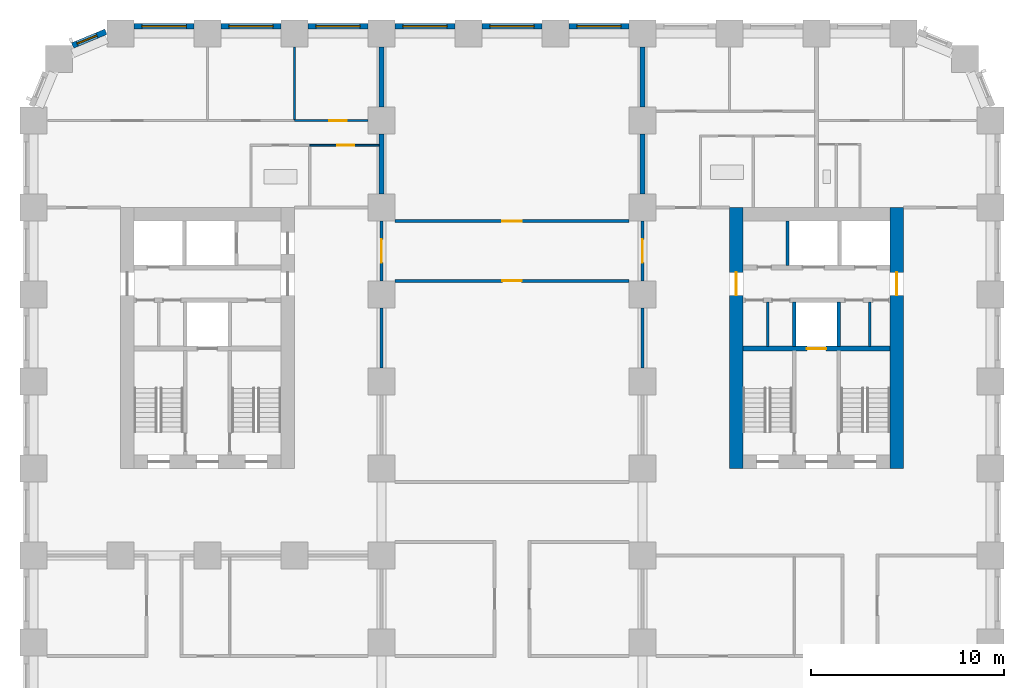
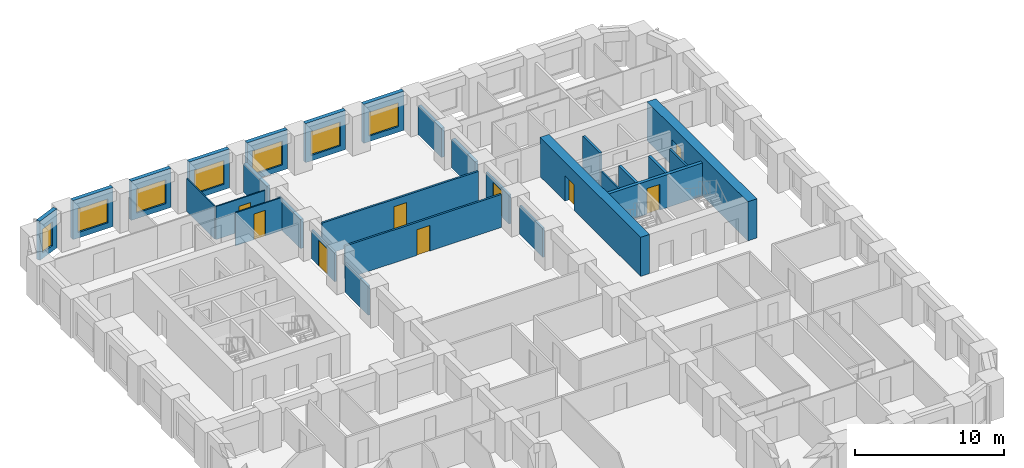
# One storey, part 7 of 12: 28 walls, 9 doors, 7 windows, 16 openings.
"""IFC4 building model written with IfcOpenShell, lengths in metres."""

from ifc_helpers import new_model, si_unit, direction, frame, frame_2d, origin, place, context, subcontext, project, spatial, rectangle, extrude, material, layer, layer_set, type_object, element, fill, save


model = new_model("IFC4")

# Units and contexts
model_context = context("Model", 3, precision=1e-05, world=origin(), true_north=direction((0.0, 1.0)))
body_context = subcontext(model_context, "Body", "Model", "MODEL_VIEW")
ifc_project = project(units=[si_unit("LENGTHUNIT", "METRE"), si_unit("AREAUNIT", "SQUARE_METRE"), si_unit("VOLUMEUNIT", "CUBIC_METRE"), si_unit("PLANEANGLEUNIT", "RADIAN"), si_unit("MASSUNIT", "GRAM", prefix="KILO")], contexts=[model_context])

# Site, building, storey
site_placement = place(None, origin())
site = spatial("IfcSite", under=ifc_project, at=site_placement, CompositionType="ELEMENT")
building_placement = place(site_placement, origin())
building = spatial("IfcBuilding", under=site, at=building_placement, Name="Girih Gate Residences", CompositionType="ELEMENT")
storey_placement = place(building_placement, frame((0.0, 0.0, 72.0)))
storey = spatial("IfcBuildingStorey", under=building, at=storey_placement, Name="L19", CompositionType="ELEMENT", Elevation=72.0)

# Walls
ifc_material_1 = material(Name="Gypsum board on steel studs", Category="steel")
ifc_layer_1 = layer(ifc_material_1, 0.25)
ifc_layer_set_1 = layer_set([ifc_layer_1], Name="Acoustic separating wall 250 mm")
wall_type_1 = type_object("IfcWallType", Name="Acoustic separating wall 250 mm", PredefinedType="PARTITIONING", material=ifc_layer_set_1)
for number, where, z_axis, x_axis, name in (
    (1, (18.0, 45.699951171875, 0.0), (0.0, 0.0, 1.0), (0.0, 1.0, 0.0), "L19 partition"),
    (2, (18.0, 41.199951171875, 0.0), (0.0, 0.0, 1.0), (0.0, 1.0, 0.0), "L19 partition"),
    (3, (31.5, 41.199951171875, 0.0), (0.0, 0.0, 1.0), (0.0, 1.0, 0.0), "L19 partition"),
    (4, (31.5, 45.699951171875, 0.0), (0.0, 0.0, 1.0), (0.0, 1.0, 0.0), "L19 partition"),
):
    element("IfcWall", number, at=place(storey_placement, frame(where, z_axis=z_axis, x_axis=x_axis)), inside=storey, type_object=wall_type_1, Name=name, PredefinedType="PARTITIONING", context=body_context, shape_type="SweptSolid", body=[
        extrude(rectangle(XDim=3.10009765625, YDim=0.25, at=frame_2d((1.550048828125, 0.0))), origin(), (0.0, 0.0, 1.0), 2.3798828125),
    ])

# Wall, opening, door
ifc_layer_2 = layer(ifc_material_1, 0.14990234375)
ifc_layer_set_2 = layer_set([ifc_layer_2], Name="Compartment wall 150 mm")
wall_type_2 = type_object("IfcWallType", Name="Compartment wall 150 mm", PredefinedType="PARTITIONING", material=ifc_layer_set_2)
wall_1_placement = place(storey_placement, frame((18.699951171875, 39.800048828125, 0.0), z_axis=(0.0, 0.0, 1.0), x_axis=(1.0, 0.0, 0.0)))
wall_1 = element("IfcWall", 5, at=wall_1_placement, inside=storey, type_object=wall_type_2, Name="L19 partition", PredefinedType="PARTITIONING", context=body_context, shape_type="SweptSolid", body=[
    extrude(rectangle(XDim=12.10009765625, YDim=0.14990234375, at=frame_2d((6.050048828125, 0.0))), origin(), (0.0, 0.0, 1.0), 2.699951171875),
])
opening_1_placement = place(wall_1_placement, frame((5.550048828125, 0.0, 0.0)))
opening_1 = element("IfcOpeningElement", 6, at=opening_1_placement, cuts=wall_1, Name="Opening A19-034", PredefinedType="OPENING", context=body_context, shape_type="SweptSolid", body=[
    extrude(rectangle(XDim=1.0, YDim=2.10009765625, at=frame_2d((0.5, 1.050048828125))), frame((0.0, 0.0849609375, 0.0), z_axis=(0.0, -1.0, 0.0), x_axis=(1.0, 0.0, 0.0)), (0.0, 0.0, 1.0), 0.169921875),
])
ifc_material_2 = material(Name="Timber, fire-rated core", Category="wood")
door_type_1 = type_object("IfcDoorType", Name="Amenity room door 1000x2100 FD30S", OperationType="NOTDEFINED", PredefinedType="DOOR", material=ifc_material_2)
door_1_placement = place(opening_1_placement, origin())
door_1 = element("IfcDoor", 7, at=door_1_placement, inside=storey, type_object=door_type_1, Name="Door A19-034", OperationType="SINGLE_SWING_RIGHT", OverallHeight=2.10009765625, OverallWidth=1.0, PredefinedType="DOOR", context=body_context, shape_type="SweptSolid", body=[
    extrude(rectangle(XDim=1.0, YDim=2.10009765625, at=frame_2d((0.5, 1.050048828125))), frame((0.0, 0.02490234375, 0.0), z_axis=(0.0, -1.0, 0.0), x_axis=(1.0, 0.0, 0.0)), (0.0, 0.0, 1.0), 0.050048828125),
])
fill(opening_1, door_1)

wall_2_placement = place(storey_placement, frame((30.800048828125, 36.699951171875, 0.0), z_axis=(0.0, 0.0, 1.0), x_axis=(-1.0, 0.0, 0.0)))
wall_2 = element("IfcWall", 8, at=wall_2_placement, inside=storey, type_object=wall_type_2, Name="L19 partition", PredefinedType="PARTITIONING", context=body_context, shape_type="SweptSolid", body=[
    extrude(rectangle(XDim=12.10009765625, YDim=0.14990234375, at=frame_2d((6.050048828125, 0.0))), origin(), (0.0, 0.0, 1.0), 2.699951171875),
])
opening_2_placement = place(wall_2_placement, frame((5.550048828125, 0.0, 0.0)))
opening_2 = element("IfcOpeningElement", 9, at=opening_2_placement, cuts=wall_2, Name="Opening A19-035", PredefinedType="OPENING", context=body_context, shape_type="SweptSolid", body=[
    extrude(rectangle(XDim=1.0, YDim=2.10009765625, at=frame_2d((0.5, 1.050048828125))), frame((0.0, 0.0849609375, 0.0), z_axis=(0.0, -1.0, 0.0), x_axis=(1.0, 0.0, 0.0)), (0.0, 0.0, 1.0), 0.169921875),
])
door_2_placement = place(opening_2_placement, origin())
door_2 = element("IfcDoor", 10, at=door_2_placement, inside=storey, type_object=door_type_1, Name="Door A19-035", OperationType="SINGLE_SWING_RIGHT", OverallHeight=2.10009765625, OverallWidth=1.0, PredefinedType="DOOR", context=body_context, shape_type="SweptSolid", body=[
    extrude(rectangle(XDim=1.0, YDim=2.10009765625, at=frame_2d((0.5, 1.050048828125))), frame((0.0, 0.02490234375, 0.0), z_axis=(0.0, -1.0, 0.0), x_axis=(1.0, 0.0, 0.0)), (0.0, 0.0, 1.0), 0.050048828125),
])
fill(opening_2, door_2)

wall_3_placement = place(storey_placement, frame((31.5, 36.699951171875, 0.0), z_axis=(0.0, 0.0, 1.0), x_axis=(0.0, 1.0, 0.0)))
wall_3 = element("IfcWall", 11, at=wall_3_placement, inside=storey, type_object=wall_type_2, Name="L19 partition", PredefinedType="PARTITIONING", context=body_context, shape_type="SweptSolid", body=[
    extrude(rectangle(XDim=3.10009765625, YDim=0.14990234375, at=frame_2d((1.550048828125, 0.0))), origin(), (0.0, 0.0, 1.0), 2.3798828125),
])
opening_3_placement = place(wall_3_placement, frame((0.949951171875, 0.0, 0.0)))
opening_3 = element("IfcOpeningElement", 12, at=opening_3_placement, cuts=wall_3, Name="Opening A19-036", PredefinedType="OPENING", context=body_context, shape_type="SweptSolid", body=[
    extrude(rectangle(XDim=1.199951171875, YDim=2.10009765625, at=frame_2d((0.60009765625, 1.050048828125))), frame((0.0, 0.0849609375, 0.0), z_axis=(0.0, -1.0, 0.0), x_axis=(1.0, 0.0, 0.0)), (0.0, 0.0, 1.0), 0.169921875),
])
door_type_2 = type_object("IfcDoorType", Name="Corridor fire door 1200x2100 FD30S", OperationType="NOTDEFINED", PredefinedType="DOOR", material=ifc_material_2)
door_3_placement = place(opening_3_placement, origin())
door_3 = element("IfcDoor", 13, at=door_3_placement, inside=storey, type_object=door_type_2, Name="Door A19-036", OperationType="SINGLE_SWING_LEFT", OverallHeight=2.10009765625, OverallWidth=1.199951171875, PredefinedType="DOOR", context=body_context, shape_type="SweptSolid", body=[
    extrude(rectangle(XDim=1.199951171875, YDim=2.10009765625, at=frame_2d((0.60009765625, 1.050048828125))), frame((0.0, 0.02490234375, 0.0), z_axis=(0.0, -1.0, 0.0), x_axis=(1.0, 0.0, 0.0)), (0.0, 0.0, 1.0), 0.050048828125),
])
fill(opening_3, door_3)

wall_4_placement = place(storey_placement, frame((18.0, 39.800048828125, 0.0), z_axis=(0.0, 0.0, 1.0), x_axis=(0.0, -1.0, 0.0)))
wall_4 = element("IfcWall", 14, at=wall_4_placement, inside=storey, type_object=wall_type_2, Name="L19 partition", PredefinedType="PARTITIONING", context=body_context, shape_type="SweptSolid", body=[
    extrude(rectangle(XDim=3.10009765625, YDim=0.14990234375, at=frame_2d((1.550048828125, 0.0))), origin(), (0.0, 0.0, 1.0), 2.3798828125),
])
opening_4_placement = place(wall_4_placement, frame((0.949951171875, 0.0, 0.0)))
opening_4 = element("IfcOpeningElement", 15, at=opening_4_placement, cuts=wall_4, Name="Opening A19-037", PredefinedType="OPENING", context=body_context, shape_type="SweptSolid", body=[
    extrude(rectangle(XDim=1.199951171875, YDim=2.10009765625, at=frame_2d((0.60009765625, 1.050048828125))), frame((0.0, 0.0849609375, 0.0), z_axis=(0.0, -1.0, 0.0), x_axis=(1.0, 0.0, 0.0)), (0.0, 0.0, 1.0), 0.169921875),
])
door_4_placement = place(opening_4_placement, origin())
door_4 = element("IfcDoor", 16, at=door_4_placement, inside=storey, type_object=door_type_2, Name="Door A19-037", OperationType="SINGLE_SWING_LEFT", OverallHeight=2.10009765625, OverallWidth=1.199951171875, PredefinedType="DOOR", context=body_context, shape_type="SweptSolid", body=[
    extrude(rectangle(XDim=1.199951171875, YDim=2.10009765625, at=frame_2d((0.60009765625, 1.050048828125))), frame((0.0, 0.02490234375, 0.0), z_axis=(0.0, -1.0, 0.0), x_axis=(1.0, 0.0, 0.0)), (0.0, 0.0, 1.0), 0.050048828125),
])
fill(opening_4, door_4)

# Walls
for number, where, z_axis, x_axis, name in (
    (17, (31.5, 32.199951171875, 0.0), (0.0, 0.0, 1.0), (0.0, 1.0, 0.0), "L19 partition"),
    (18, (18.0, 32.199951171875, 0.0), (0.0, 0.0, 1.0), (0.0, 1.0, 0.0), "L19 partition"),
):
    element("IfcWall", number, at=place(storey_placement, frame(where, z_axis=z_axis, x_axis=x_axis)), inside=storey, type_object=wall_type_2, Name=name, PredefinedType="PARTITIONING", context=body_context, shape_type="SweptSolid", body=[
        extrude(rectangle(XDim=3.10009765625, YDim=0.14990234375, at=frame_2d((1.550048828125, 0.0))), origin(), (0.0, 0.0, 1.0), 2.3798828125),
    ])

# Wall, opening, door
ifc_material_3 = material(Name="Concrete C60/75", Category="concrete")
ifc_layer_3 = layer(ifc_material_3, 0.699951171875)
ifc_layer_set_3 = layer_set([ifc_layer_3], Name="Core wall RC 700 Concrete C60/75")
wall_type_3 = type_object("IfcWallType", Name="Core wall RC 700 Concrete C60/75", PredefinedType="SOLIDWALL", material=ifc_layer_set_3)
wall_5_placement = place(storey_placement, frame((36.35009765625, 27.0, 0.0), z_axis=(0.0, 0.0, 1.0), x_axis=(0.0, 1.0, 0.0)))
wall_5 = element("IfcWall", 19, at=wall_5_placement, inside=storey, type_object=wall_type_3, Name="Core wall E-W L19", PredefinedType="SOLIDWALL", context=body_context, shape_type="SweptSolid", body=[
    extrude(rectangle(XDim=13.5, YDim=0.699951171875, at=frame_2d((6.75, 0.0))), origin(), (0.0, 0.0, 1.0), 3.199951171875),
])
opening_5_placement = place(wall_5_placement, frame((8.949951171875, 0.0, 0.0)))
opening_5 = element("IfcOpeningElement", 20, at=opening_5_placement, cuts=wall_5, Name="Opening D-L19-E-014", PredefinedType="OPENING", context=body_context, shape_type="SweptSolid", body=[
    extrude(rectangle(XDim=1.199951171875, YDim=2.10009765625, at=frame_2d((0.60009765625, 1.050048828125))), frame((0.0, 0.35986328125, 0.0), z_axis=(0.0, -1.0, 0.0), x_axis=(1.0, 0.0, 0.0)), (0.0, 0.0, 1.0), 0.719970703125),
])
ifc_material_4 = material(Name="Painted steel, fire-resisting", Category="steel")
door_type_3 = type_object("IfcDoorType", Name="Fire door 1200x2100", OperationType="SINGLE_SWING_LEFT", PredefinedType="DOOR", material=ifc_material_4)
door_5_placement = place(opening_5_placement, origin())
door_5 = element("IfcDoor", 21, at=door_5_placement, inside=storey, type_object=door_type_3, Name="L19 E core door ll-w", OperationType="SINGLE_SWING_LEFT", OverallHeight=2.10009765625, OverallWidth=1.199951171875, PredefinedType="DOOR", context=body_context, shape_type="SweptSolid", body=[
    extrude(rectangle(XDim=1.199951171875, YDim=2.10009765625, at=frame_2d((0.60009765625, 1.050048828125))), frame((0.0, 0.02490234375, 0.0), z_axis=(0.0, -1.0, 0.0), x_axis=(1.0, 0.0, 0.0)), (0.0, 0.0, 1.0), 0.050048828125),
])
fill(opening_5, door_5)

wall_6_placement = place(storey_placement, frame((44.64990234375, 27.0, 0.0), z_axis=(0.0, 0.0, 1.0), x_axis=(0.0, 1.0, 0.0)))
wall_6 = element("IfcWall", 22, at=wall_6_placement, inside=storey, type_object=wall_type_3, Name="Core wall E-E L19", PredefinedType="SOLIDWALL", context=body_context, shape_type="SweptSolid", body=[
    extrude(rectangle(XDim=13.5, YDim=0.699951171875, at=frame_2d((6.75, 0.0))), origin(), (0.0, 0.0, 1.0), 3.199951171875),
])
opening_6_placement = place(wall_6_placement, frame((8.949951171875, 0.0, 0.0)))
opening_6 = element("IfcOpeningElement", 23, at=opening_6_placement, cuts=wall_6, Name="Opening D-L19-E-015", PredefinedType="OPENING", context=body_context, shape_type="SweptSolid", body=[
    extrude(rectangle(XDim=1.199951171875, YDim=2.10009765625, at=frame_2d((0.60009765625, 1.050048828125))), frame((0.0, 0.35986328125, 0.0), z_axis=(0.0, -1.0, 0.0), x_axis=(1.0, 0.0, 0.0)), (0.0, 0.0, 1.0), 0.719970703125),
])
door_6_placement = place(opening_6_placement, origin())
door_6 = element("IfcDoor", 24, at=door_6_placement, inside=storey, type_object=door_type_3, Name="L19 E core door ll-e", OperationType="SINGLE_SWING_LEFT", OverallHeight=2.10009765625, OverallWidth=1.199951171875, PredefinedType="DOOR", context=body_context, shape_type="SweptSolid", body=[
    extrude(rectangle(XDim=1.199951171875, YDim=2.10009765625, at=frame_2d((0.60009765625, 1.050048828125))), frame((0.0, 0.02490234375, 0.0), z_axis=(0.0, -1.0, 0.0), x_axis=(1.0, 0.0, 0.0)), (0.0, 0.0, 1.0), 0.050048828125),
])
fill(opening_6, door_6)

ifc_material_5 = material(Name="Concrete C40/50", Category="concrete")
ifc_layer_4 = layer(ifc_material_5, 0.25)
ifc_layer_set_4 = layer_set([ifc_layer_4], Name="Lift shaft wall 250")
wall_type_4 = type_object("IfcWallType", Name="Lift shaft wall 250", PredefinedType="SOLIDWALL", material=ifc_layer_set_4)
wall_7_placement = place(storey_placement, frame((36.699951171875, 33.199951171875, 0.0), z_axis=(0.0, 0.0, 1.0), x_axis=(1.0, 0.0, 0.0)))
wall_7 = element("IfcWall", 25, at=wall_7_placement, inside=storey, type_object=wall_type_4, Name="L19 E core wall H1", PredefinedType="SOLIDWALL", context=body_context, shape_type="SweptSolid", body=[
    extrude(rectangle(XDim=7.60009765625, YDim=0.25, at=frame_2d((3.800048828125, 0.0))), origin(), (0.0, 0.0, 1.0), 2.699951171875),
])
opening_7_placement = place(wall_7_placement, frame((3.300048828125, 0.0, 0.0)))
opening_7 = element("IfcOpeningElement", 26, at=opening_7_placement, cuts=wall_7, Name="Opening D-L19-E-005", PredefinedType="OPENING", context=body_context, shape_type="SweptSolid", body=[
    extrude(rectangle(XDim=1.0, YDim=2.10009765625, at=frame_2d((0.5, 1.050048828125))), frame((0.0, 0.135009765625, 0.0), z_axis=(0.0, -1.0, 0.0), x_axis=(1.0, 0.0, 0.0)), (0.0, 0.0, 1.0), 0.27001953125),
])
ifc_material_6 = material(Name="Stainless steel, fire-resisting", Category="steel")
door_type_4 = type_object("IfcDoorType", Name="Firefighting lift landing door 1000x2100", OperationType="SLIDING_TO_LEFT", PredefinedType="DOOR", material=ifc_material_6)
door_7_placement = place(opening_7_placement, origin())
door_7 = element("IfcDoor", 27, at=door_7_placement, inside=storey, type_object=door_type_4, Name="L19 lift FF-E landing door", OperationType="SLIDING_TO_LEFT", OverallHeight=2.10009765625, OverallWidth=1.0, PredefinedType="DOOR", context=body_context, shape_type="SweptSolid", body=[
    extrude(rectangle(XDim=1.0, YDim=2.10009765625, at=frame_2d((0.5, 1.050048828125))), frame((0.0, 0.02490234375, 0.0), z_axis=(0.0, -1.0, 0.0), x_axis=(1.0, 0.0, 0.0)), (0.0, 0.0, 1.0), 0.050048828125),
])
fill(opening_7, door_7)

# Wall
ifc_layer_5 = layer(ifc_material_1, 0.10009765625)
ifc_layer_set_5 = layer_set([ifc_layer_5], Name="Partition 100 mm")
wall_type_5 = type_object("IfcWallType", Name="Partition 100 mm", PredefinedType="PARTITIONING", material=ifc_layer_set_5)
wall_8_placement = place(storey_placement, frame((13.5, 45.050048828125, 0.0), z_axis=(0.0, 0.0, 1.0), x_axis=(0.0, 1.0, 0.0)))
element("IfcWall", 28, at=wall_8_placement, inside=storey, type_object=wall_type_5, Name="L19 partition", PredefinedType="PARTITIONING", context=body_context, shape_type="SweptSolid", body=[
    extrude(rectangle(XDim=3.75, YDim=0.10009765625, at=frame_2d((1.875, 0.0))), origin(), (0.0, 0.0, 1.0), 2.699951171875),
])

# Wall, opening, door
wall_9_placement = place(storey_placement, frame((13.5, 45.0, 0.0), z_axis=(0.0, 0.0, 1.0), x_axis=(1.0, 0.0, 0.0)))
wall_9 = element("IfcWall", 29, at=wall_9_placement, inside=storey, type_object=wall_type_5, Name="L19 partition", PredefinedType="PARTITIONING", context=body_context, shape_type="SweptSolid", body=[
    extrude(rectangle(XDim=3.800048828125, YDim=0.10009765625, at=frame_2d((1.89990234375, 0.0))), origin(), (0.0, 0.0, 1.0), 2.699951171875),
])
opening_8_placement = place(wall_9_placement, frame((1.800048828125, 0.0, 0.0)))
opening_8 = element("IfcOpeningElement", 30, at=opening_8_placement, cuts=wall_9, Name="Opening A19-010", PredefinedType="OPENING", context=body_context, shape_type="SweptSolid", body=[
    extrude(rectangle(XDim=0.89990234375, YDim=2.10009765625, at=frame_2d((0.449951171875, 1.050048828125))), frame((0.0, 0.06005859375, 0.0), z_axis=(0.0, -1.0, 0.0), x_axis=(1.0, 0.0, 0.0)), (0.0, 0.0, 1.0), 0.1201171875),
])
ifc_material_7 = material(Name="Timber", Category="wood")
door_type_5 = type_object("IfcDoorType", Name="Bedroom door 900x2100", OperationType="NOTDEFINED", PredefinedType="DOOR", material=ifc_material_7)
door_8_placement = place(opening_8_placement, origin())
door_8 = element("IfcDoor", 31, at=door_8_placement, inside=storey, type_object=door_type_5, Name="Door A19-010", OperationType="SINGLE_SWING_RIGHT", OverallHeight=2.10009765625, OverallWidth=0.89990234375, PredefinedType="DOOR", context=body_context, shape_type="SweptSolid", body=[
    extrude(rectangle(XDim=0.89990234375, YDim=2.10009765625, at=frame_2d((0.449951171875, 1.050048828125))), frame((0.0, 0.02490234375, 0.0), z_axis=(0.0, -1.0, 0.0), x_axis=(1.0, 0.0, 0.0)), (0.0, 0.0, 1.0), 0.050048828125),
])
fill(opening_8, door_8)

wall_10_placement = place(storey_placement, frame((17.875, 43.719970703125, 0.0), z_axis=(0.0, 0.0, 1.0), x_axis=(-1.0, 0.0, 0.0)))
wall_10 = element("IfcWall", 32, at=wall_10_placement, inside=storey, type_object=wall_type_5, Name="L19 partition", PredefinedType="PARTITIONING", context=body_context, shape_type="SweptSolid", body=[
    extrude(rectangle(XDim=3.579833984375, YDim=0.10009765625, at=frame_2d((1.7900390625, 0.0))), origin(), (0.0, 0.0, 1.0), 2.699951171875),
])
opening_9_placement = place(wall_10_placement, frame((1.27734375, 0.0, 0.0)))
opening_9 = element("IfcOpeningElement", 33, at=opening_9_placement, cuts=wall_10, Name="Opening A19-011", PredefinedType="OPENING", context=body_context, shape_type="SweptSolid", body=[
    extrude(rectangle(XDim=0.89990234375, YDim=2.10009765625, at=frame_2d((0.449951171875, 1.050048828125))), frame((0.0, 0.06005859375, 0.0), z_axis=(0.0, -1.0, 0.0), x_axis=(1.0, 0.0, 0.0)), (0.0, 0.0, 1.0), 0.1201171875),
])
door_type_6 = type_object("IfcDoorType", Name="Kitchen door 900x2100", OperationType="NOTDEFINED", PredefinedType="DOOR", material=ifc_material_7)
door_9_placement = place(opening_9_placement, origin())
door_9 = element("IfcDoor", 34, at=door_9_placement, inside=storey, type_object=door_type_6, Name="Door A19-011", OperationType="SINGLE_SWING_LEFT", OverallHeight=2.10009765625, OverallWidth=0.89990234375, PredefinedType="DOOR", context=body_context, shape_type="SweptSolid", body=[
    extrude(rectangle(XDim=0.89990234375, YDim=2.10009765625, at=frame_2d((0.449951171875, 1.050048828125))), frame((0.0, 0.02490234375, 0.0), z_axis=(0.0, -1.0, 0.0), x_axis=(1.0, 0.0, 0.0)), (0.0, 0.0, 1.0), 0.050048828125),
])
fill(opening_9, door_9)

# Wall, opening, window
ifc_material_8 = material(Name="Precast concrete C50/60", Category="concrete")
ifc_layer_6 = layer(ifc_material_8, 0.080078125, Name="Outer leaf")
ifc_material_9 = material(Name="Rigid PIR insulation")
ifc_layer_7 = layer(ifc_material_9, 0.14990234375, Name="Insulation")
ifc_material_10 = material(Name="Precast concrete C40/50", Category="concrete")
ifc_layer_8 = layer(ifc_material_10, 0.070068359375, Name="Inner leaf")
ifc_layer_set_6 = layer_set([ifc_layer_6, ifc_layer_7, ifc_layer_8], Name="Precast concrete C50/60 external wall 300")
wall_type_6 = type_object("IfcWallType", Name="Precast concrete C50/60 external wall 300", PredefinedType="SOLIDWALL", material=ifc_layer_set_6)
wall_11_placement = place(storey_placement, frame((27.699951171875, 49.875, 0.0), z_axis=(0.0, 0.0, 1.0), x_axis=(1.0, 0.0, 0.0)))
wall_11 = element("IfcWall", 35, at=wall_11_placement, inside=storey, type_object=wall_type_6, Name="External wall N0450_0495.3", PredefinedType="SOLIDWALL", context=body_context, shape_type="SweptSolid", body=[
    extrude(rectangle(XDim=3.10009765625, YDim=0.300048828125, at=frame_2d((1.550048828125, 0.0))), origin(), (0.0, 0.0, 1.0), 3.199951171875),
])
opening_10_placement = place(wall_11_placement, frame((0.39990234375, 0.0, 0.449951171875)))
opening_10 = element("IfcOpeningElement", 36, at=opening_10_placement, cuts=wall_11, Name="Opening W-1", PredefinedType="OPENING", context=body_context, shape_type="SweptSolid", body=[
    extrude(rectangle(XDim=2.300048828125, YDim=1.949951171875, at=frame_2d((1.14990234375, 0.97509765625))), frame((0.0, 0.159912109375, 0.0), z_axis=(0.0, -1.0, 0.0), x_axis=(1.0, 0.0, 0.0)), (0.0, 0.0, 1.0), 0.320068359375),
])
ifc_material_11 = material(Name="Double glazing in aluminium frame", Category="aluminium")
window_type_1 = type_object("IfcWindowType", Name="Window W-1 2300x1950", PartitioningType="SINGLE_PANEL", PredefinedType="WINDOW", material=ifc_material_11)
window_1_placement = place(opening_10_placement, origin())
window_1 = element("IfcWindow", 37, at=window_1_placement, inside=storey, type_object=window_type_1, Name="Window W-1 N0450_0495.3", OverallHeight=1.949951171875, OverallWidth=2.300048828125, PartitioningType="SINGLE_PANEL", PredefinedType="WINDOW", context=body_context, shape_type="SweptSolid", body=[
    extrude(rectangle(XDim=2.300048828125, YDim=1.949951171875, at=frame_2d((1.14990234375, 0.97509765625))), frame((0.0, 0.030029296875, 0.0), z_axis=(0.0, -1.0, 0.0), x_axis=(1.0, 0.0, 0.0)), (0.0, 0.0, 1.0), 0.06005859375),
])
fill(opening_10, window_1)

wall_12_placement = place(storey_placement, frame((23.199951171875, 49.875, 0.0), z_axis=(0.0, 0.0, 1.0), x_axis=(1.0, 0.0, 0.0)))
wall_12 = element("IfcWall", 38, at=wall_12_placement, inside=storey, type_object=wall_type_6, Name="External wall N0450_0495.4", PredefinedType="SOLIDWALL", context=body_context, shape_type="SweptSolid", body=[
    extrude(rectangle(XDim=3.10009765625, YDim=0.300048828125, at=frame_2d((1.550048828125, 0.0))), origin(), (0.0, 0.0, 1.0), 3.199951171875),
])
opening_11_placement = place(wall_12_placement, frame((0.39990234375, 0.0, 0.449951171875)))
opening_11 = element("IfcOpeningElement", 39, at=opening_11_placement, cuts=wall_12, Name="Opening W-1", PredefinedType="OPENING", context=body_context, shape_type="SweptSolid", body=[
    extrude(rectangle(XDim=2.300048828125, YDim=1.949951171875, at=frame_2d((1.14990234375, 0.97509765625))), frame((0.0, 0.159912109375, 0.0), z_axis=(0.0, -1.0, 0.0), x_axis=(1.0, 0.0, 0.0)), (0.0, 0.0, 1.0), 0.320068359375),
])
window_2_placement = place(opening_11_placement, origin())
window_2 = element("IfcWindow", 40, at=window_2_placement, inside=storey, type_object=window_type_1, Name="Window W-1 N0450_0495.4", OverallHeight=1.949951171875, OverallWidth=2.300048828125, PartitioningType="SINGLE_PANEL", PredefinedType="WINDOW", context=body_context, shape_type="SweptSolid", body=[
    extrude(rectangle(XDim=2.300048828125, YDim=1.949951171875, at=frame_2d((1.14990234375, 0.97509765625))), frame((0.0, 0.030029296875, 0.0), z_axis=(0.0, -1.0, 0.0), x_axis=(1.0, 0.0, 0.0)), (0.0, 0.0, 1.0), 0.06005859375),
])
fill(opening_11, window_2)

wall_13_placement = place(storey_placement, frame((18.699951171875, 49.875, 0.0), z_axis=(0.0, 0.0, 1.0), x_axis=(1.0, 0.0, 0.0)))
wall_13 = element("IfcWall", 41, at=wall_13_placement, inside=storey, type_object=wall_type_6, Name="External wall N0450_0495.5", PredefinedType="SOLIDWALL", context=body_context, shape_type="SweptSolid", body=[
    extrude(rectangle(XDim=3.10009765625, YDim=0.300048828125, at=frame_2d((1.550048828125, 0.0))), origin(), (0.0, 0.0, 1.0), 3.199951171875),
])
opening_12_placement = place(wall_13_placement, frame((0.39990234375, 0.0, 0.449951171875)))
opening_12 = element("IfcOpeningElement", 42, at=opening_12_placement, cuts=wall_13, Name="Opening W-1", PredefinedType="OPENING", context=body_context, shape_type="SweptSolid", body=[
    extrude(rectangle(XDim=2.300048828125, YDim=1.949951171875, at=frame_2d((1.14990234375, 0.97509765625))), frame((0.0, 0.159912109375, 0.0), z_axis=(0.0, -1.0, 0.0), x_axis=(1.0, 0.0, 0.0)), (0.0, 0.0, 1.0), 0.320068359375),
])
window_3_placement = place(opening_12_placement, origin())
window_3 = element("IfcWindow", 43, at=window_3_placement, inside=storey, type_object=window_type_1, Name="Window W-1 N0450_0495.5", OverallHeight=1.949951171875, OverallWidth=2.300048828125, PartitioningType="SINGLE_PANEL", PredefinedType="WINDOW", context=body_context, shape_type="SweptSolid", body=[
    extrude(rectangle(XDim=2.300048828125, YDim=1.949951171875, at=frame_2d((1.14990234375, 0.97509765625))), frame((0.0, 0.030029296875, 0.0), z_axis=(0.0, -1.0, 0.0), x_axis=(1.0, 0.0, 0.0)), (0.0, 0.0, 1.0), 0.06005859375),
])
fill(opening_12, window_3)

wall_14_placement = place(storey_placement, frame((14.199951171875, 49.875, 0.0), z_axis=(0.0, 0.0, 1.0), x_axis=(1.0, 0.0, 0.0)))
wall_14 = element("IfcWall", 44, at=wall_14_placement, inside=storey, type_object=wall_type_6, Name="External wall N0450_0495.6", PredefinedType="SOLIDWALL", context=body_context, shape_type="SweptSolid", body=[
    extrude(rectangle(XDim=3.10009765625, YDim=0.300048828125, at=frame_2d((1.550048828125, 0.0))), origin(), (0.0, 0.0, 1.0), 3.199951171875),
])
opening_13_placement = place(wall_14_placement, frame((0.39990234375, 0.0, 0.449951171875)))
opening_13 = element("IfcOpeningElement", 45, at=opening_13_placement, cuts=wall_14, Name="Opening W-1", PredefinedType="OPENING", context=body_context, shape_type="SweptSolid", body=[
    extrude(rectangle(XDim=2.300048828125, YDim=1.949951171875, at=frame_2d((1.14990234375, 0.97509765625))), frame((0.0, 0.159912109375, 0.0), z_axis=(0.0, -1.0, 0.0), x_axis=(1.0, 0.0, 0.0)), (0.0, 0.0, 1.0), 0.320068359375),
])
window_4_placement = place(opening_13_placement, origin())
window_4 = element("IfcWindow", 46, at=window_4_placement, inside=storey, type_object=window_type_1, Name="Window W-1 N0450_0495.6", OverallHeight=1.949951171875, OverallWidth=2.300048828125, PartitioningType="SINGLE_PANEL", PredefinedType="WINDOW", context=body_context, shape_type="SweptSolid", body=[
    extrude(rectangle(XDim=2.300048828125, YDim=1.949951171875, at=frame_2d((1.14990234375, 0.97509765625))), frame((0.0, 0.030029296875, 0.0), z_axis=(0.0, -1.0, 0.0), x_axis=(1.0, 0.0, 0.0)), (0.0, 0.0, 1.0), 0.06005859375),
])
fill(opening_13, window_4)

wall_15_placement = place(storey_placement, frame((9.699951171875, 49.875, 0.0), z_axis=(0.0, 0.0, 1.0), x_axis=(1.0, 0.0, 0.0)))
wall_15 = element("IfcWall", 47, at=wall_15_placement, inside=storey, type_object=wall_type_6, Name="External wall N0450_0495.7", PredefinedType="SOLIDWALL", context=body_context, shape_type="SweptSolid", body=[
    extrude(rectangle(XDim=3.10009765625, YDim=0.300048828125, at=frame_2d((1.550048828125, 0.0))), origin(), (0.0, 0.0, 1.0), 3.199951171875),
])
opening_14_placement = place(wall_15_placement, frame((0.39990234375, 0.0, 0.449951171875)))
opening_14 = element("IfcOpeningElement", 48, at=opening_14_placement, cuts=wall_15, Name="Opening W-1", PredefinedType="OPENING", context=body_context, shape_type="SweptSolid", body=[
    extrude(rectangle(XDim=2.300048828125, YDim=1.949951171875, at=frame_2d((1.14990234375, 0.97509765625))), frame((0.0, 0.159912109375, 0.0), z_axis=(0.0, -1.0, 0.0), x_axis=(1.0, 0.0, 0.0)), (0.0, 0.0, 1.0), 0.320068359375),
])
window_5_placement = place(opening_14_placement, origin())
window_5 = element("IfcWindow", 49, at=window_5_placement, inside=storey, type_object=window_type_1, Name="Window W-1 N0450_0495.7", OverallHeight=1.949951171875, OverallWidth=2.300048828125, PartitioningType="SINGLE_PANEL", PredefinedType="WINDOW", context=body_context, shape_type="SweptSolid", body=[
    extrude(rectangle(XDim=2.300048828125, YDim=1.949951171875, at=frame_2d((1.14990234375, 0.97509765625))), frame((0.0, 0.030029296875, 0.0), z_axis=(0.0, -1.0, 0.0), x_axis=(1.0, 0.0, 0.0)), (0.0, 0.0, 1.0), 0.06005859375),
])
fill(opening_14, window_5)

wall_16_placement = place(storey_placement, frame((5.199951171875, 49.875, 0.0), z_axis=(0.0, 0.0, 1.0), x_axis=(1.0, 0.0, 0.0)))
wall_16 = element("IfcWall", 50, at=wall_16_placement, inside=storey, type_object=wall_type_6, Name="External wall N0450_0495.8", PredefinedType="SOLIDWALL", context=body_context, shape_type="SweptSolid", body=[
    extrude(rectangle(XDim=3.10009765625, YDim=0.300048828125, at=frame_2d((1.550048828125, 0.0))), origin(), (0.0, 0.0, 1.0), 3.199951171875),
])
opening_15_placement = place(wall_16_placement, frame((0.39990234375, 0.0, 0.449951171875)))
opening_15 = element("IfcOpeningElement", 51, at=opening_15_placement, cuts=wall_16, Name="Opening W-1", PredefinedType="OPENING", context=body_context, shape_type="SweptSolid", body=[
    extrude(rectangle(XDim=2.300048828125, YDim=1.949951171875, at=frame_2d((1.14990234375, 0.97509765625))), frame((0.0, 0.159912109375, 0.0), z_axis=(0.0, -1.0, 0.0), x_axis=(1.0, 0.0, 0.0)), (0.0, 0.0, 1.0), 0.320068359375),
])
window_6_placement = place(opening_15_placement, origin())
window_6 = element("IfcWindow", 52, at=window_6_placement, inside=storey, type_object=window_type_1, Name="Window W-1 N0450_0495.8", OverallHeight=1.949951171875, OverallWidth=2.300048828125, PartitioningType="SINGLE_PANEL", PredefinedType="WINDOW", context=body_context, shape_type="SweptSolid", body=[
    extrude(rectangle(XDim=2.300048828125, YDim=1.949951171875, at=frame_2d((1.14990234375, 0.97509765625))), frame((0.0, 0.030029296875, 0.0), z_axis=(0.0, -1.0, 0.0), x_axis=(1.0, 0.0, 0.0)), (0.0, 0.0, 1.0), 0.06005859375),
])
fill(opening_15, window_6)

wall_17_placement = place(storey_placement, frame((2.01953125, 48.87841796875, 0.0), z_axis=(0.0, 0.0, 1.0), x_axis=(0.923903565336, 0.38262540684, 0.0)))
wall_17 = element("IfcWall", 53, at=wall_17_placement, inside=storey, type_object=wall_type_6, Name="External wall NW0045_0495.0", PredefinedType="SOLIDWALL", context=body_context, shape_type="SweptSolid", body=[
    extrude(rectangle(XDim=1.864990234375, YDim=0.300048828125, at=frame_2d((0.9326171875, 0.0))), origin(), (0.0, 0.0, 1.0), 3.199951171875),
])
opening_16_placement = place(wall_17_placement, frame((0.257568359375, 0.0, 0.449951171875)))
opening_16 = element("IfcOpeningElement", 54, at=opening_16_placement, cuts=wall_17, Name="Opening W-2C", PredefinedType="OPENING", context=body_context, shape_type="SweptSolid", body=[
    extrude(rectangle(XDim=1.10009765625, YDim=1.949951171875, at=frame_2d((0.550048828125, 0.97509765625))), frame((0.0, 0.159912109375, 0.0), z_axis=(0.0, -1.0, 0.0), x_axis=(1.0, 0.0, 0.0)), (0.0, 0.0, 1.0), 0.320068359375),
])
window_type_2 = type_object("IfcWindowType", Name="Window W-2C 1100x1950", PartitioningType="SINGLE_PANEL", PredefinedType="WINDOW", material=ifc_material_11)
window_7_placement = place(opening_16_placement, origin())
window_7 = element("IfcWindow", 55, at=window_7_placement, inside=storey, type_object=window_type_2, Name="Window W-2C NW0045_0495.0", OverallHeight=1.949951171875, OverallWidth=1.10009765625, PartitioningType="SINGLE_PANEL", PredefinedType="WINDOW", context=body_context, shape_type="SweptSolid", body=[
    extrude(rectangle(XDim=1.10009765625, YDim=1.949951171875, at=frame_2d((0.550048828125, 0.97509765625))), frame((0.0, 0.030029296875, 0.0), z_axis=(0.0, -1.0, 0.0), x_axis=(1.0, 0.0, 0.0)), (0.0, 0.0, 1.0), 0.06005859375),
])
fill(opening_16, window_7)

# Walls
ifc_layer_9 = layer(ifc_material_5, 0.175048828125)
ifc_layer_set_7 = layer_set([ifc_layer_9], Name="Riser shaft wall 175")
wall_type_7 = type_object("IfcWallType", Name="Riser shaft wall 175", PredefinedType="SOLIDWALL", material=ifc_layer_set_7)
wall_18_placement = place(storey_placement, frame((39.0, 37.5, 0.0), z_axis=(0.0, 0.0, 1.0), x_axis=(0.0, 1.0, 0.0)))
element("IfcWall", 56, at=wall_18_placement, inside=storey, type_object=wall_type_7, Name="L19 E core wall V2c", PredefinedType="SOLIDWALL", context=body_context, shape_type="SweptSolid", body=[
    extrude(rectangle(XDim=2.300048828125, YDim=0.175048828125, at=frame_2d((1.14990234375, 0.0))), origin(), (0.0, 0.0, 1.0), 2.699951171875),
])
ifc_layer_10 = layer(ifc_material_5, 0.199951171875)
ifc_layer_set_8 = layer_set([ifc_layer_10], Name="Shaft wall 200")
wall_type_8 = type_object("IfcWallType", Name="Shaft wall 200", PredefinedType="SOLIDWALL", material=ifc_layer_set_8)
for number, where, z_axis, x_axis, name in (
    (57, (41.64990234375, 33.300048828125, 0.0), (0.0, 0.0, 1.0), (0.0, 1.0, 0.0), "L19 E core wall V1b"),
    (58, (39.35009765625, 33.300048828125, 0.0), (0.0, 0.0, 1.0), (0.0, 1.0, 0.0), "L19 E core wall V2b"),
):
    element("IfcWall", number, at=place(storey_placement, frame(where, z_axis=z_axis, x_axis=x_axis)), inside=storey, type_object=wall_type_8, Name=name, PredefinedType="SOLIDWALL", context=body_context, shape_type="SweptSolid", body=[
        extrude(rectangle(XDim=2.300048828125, YDim=0.199951171875, at=frame_2d((1.14990234375, 0.0))), origin(), (0.0, 0.0, 1.0), 2.699951171875),
    ])
ifc_material_12 = material(Name="Calcium silicate blockwork", Category="masonry")
ifc_layer_11 = layer(ifc_material_12, 0.125)
ifc_layer_set_9 = layer_set([ifc_layer_11], Name="Store partition 125")
wall_type_9 = type_object("IfcWallType", Name="Store partition 125", PredefinedType="PARTITIONING", material=ifc_layer_set_9)
for number, where, z_axis, x_axis, name in (
    (59, (43.25, 33.300048828125, 0.0), (0.0, 0.0, 1.0), (0.0, 1.0, 0.0), "L19 E core wall SHR1"),
    (60, (37.97509765625, 33.300048828125, 0.0), (0.0, 0.0, 1.0), (0.0, 1.0, 0.0), "L19 E core wall SHR2"),
):
    element("IfcWall", number, at=place(storey_placement, frame(where, z_axis=z_axis, x_axis=x_axis)), inside=storey, type_object=wall_type_9, Name=name, PredefinedType="PARTITIONING", context=body_context, shape_type="SweptSolid", body=[
        extrude(rectangle(XDim=2.300048828125, YDim=0.125, at=frame_2d((1.14990234375, 0.0))), origin(), (0.0, 0.0, 1.0), 2.699951171875),
    ])

save(model, "model.ifc")
